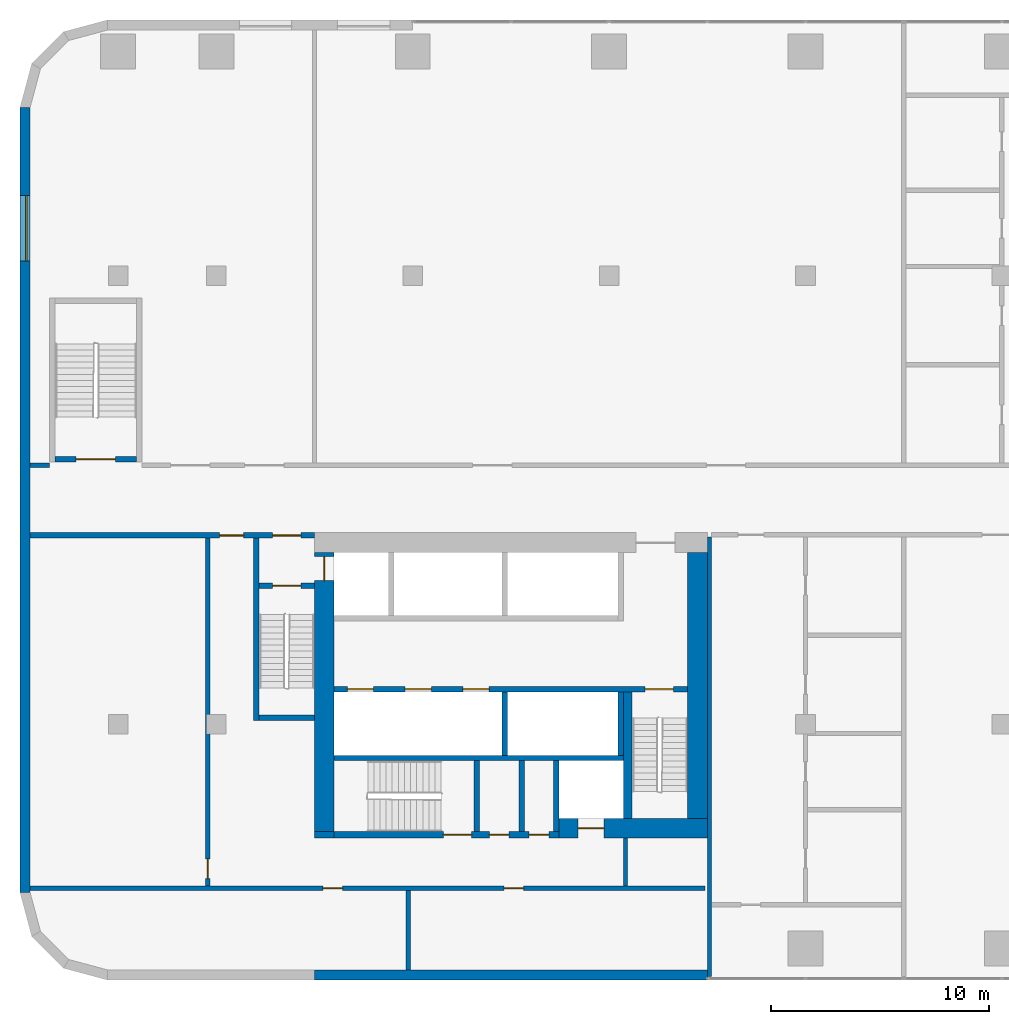
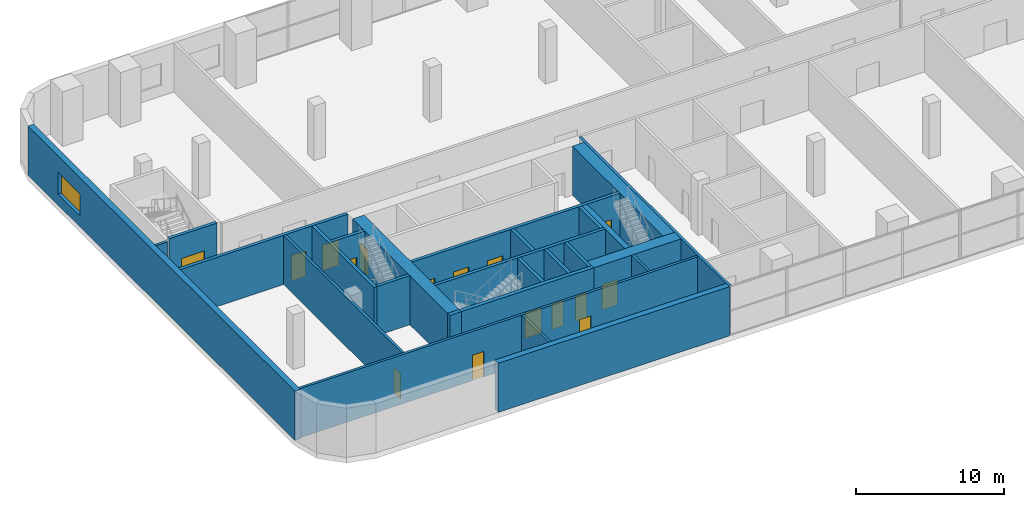
# One storey, part 7 of 19: 26 walls, 16 doors, 1 window, 17 openings.
"""IFC4 building model written with IfcOpenShell, lengths in metres."""

from ifc_helpers import new_model, si_unit, direction, frame, frame_2d, origin, place, context, subcontext, project, spatial, rectangle, extrude, material, layer, layer_set, type_object, element, fill, save


model = new_model("IFC4")

# Units and contexts
model_context = context("Model", 3, precision=1e-05, world=origin(), true_north=direction((0.0, 1.0)))
body_context = subcontext(model_context, "Body", "Model", "MODEL_VIEW")
ifc_project = project(units=[si_unit("LENGTHUNIT", "METRE"), si_unit("AREAUNIT", "SQUARE_METRE"), si_unit("VOLUMEUNIT", "CUBIC_METRE"), si_unit("PLANEANGLEUNIT", "RADIAN"), si_unit("MASSUNIT", "GRAM", prefix="KILO")], contexts=[model_context])

# Site, building, storey
site_placement = place(None, origin())
site = spatial("IfcSite", under=ifc_project, at=site_placement, CompositionType="ELEMENT")
building_placement = place(site_placement, origin())
building = spatial("IfcBuilding", under=site, at=building_placement, Name="Kajstack Hotel Tower", CompositionType="ELEMENT")
storey_placement = place(building_placement, frame((0.0, 0.0, 33.5)))
storey = spatial("IfcBuildingStorey", under=building, at=storey_placement, Name="L05", CompositionType="ELEMENT", Elevation=33.5)

# Wall, opening, door
ifc_material_1 = material(Name="Concrete C60/75", Category="concrete")
ifc_layer_1 = layer(ifc_material_1, 0.89990234375)
ifc_layer_set_1 = layer_set([ifc_layer_1], Name="Core wall 900")
wall_type_1 = type_object("IfcWallType", Name="Core wall 900", PredefinedType="SHEAR", material=ifc_layer_set_1)
wall_1_placement = place(storey_placement, frame((-20.300048828125, -15.050048828125, 0.0), z_axis=(0.0, 0.0, 1.0), x_axis=(1.0, 0.0, 0.0)))
wall_1 = element("IfcWall", 1, at=wall_1_placement, inside=storey, type_object=wall_type_1, Name="Core wall W RS", PredefinedType="SHEAR", context=body_context, shape_type="SweptSolid", body=[
    extrude(rectangle(XDim=6.800048828125, YDim=0.89990234375, at=frame_2d((3.39990234375, 0.0))), origin(), (0.0, 0.0, 1.0), 4.050048828125),
])
opening_1_placement = place(wall_1_placement, frame((0.875, 0.0, 0.0)))
opening_1 = element("IfcOpeningElement", 2, at=opening_1_placement, cuts=wall_1, Name="Opening LD-SV1", PredefinedType="OPENING", context=body_context, shape_type="SweptSolid", body=[
    extrude(rectangle(XDim=1.199951171875, YDim=2.10009765625, at=frame_2d((0.60009765625, 1.050048828125))), frame((0.0, 0.4599609375, 0.0), z_axis=(0.0, -1.0, 0.0), x_axis=(1.0, 0.0, 0.0)), (0.0, 0.0, 1.0), 0.919921875),
])
ifc_material_2 = material(Name="Stainless steel", Category="steel")
door_type_1 = type_object("IfcDoorType", Name="Lift landing door 1200", OperationType="SLIDING_TO_LEFT", PredefinedType="DOOR", material=ifc_material_2)
door_1_placement = place(opening_1_placement, origin())
door_1 = element("IfcDoor", 3, at=door_1_placement, inside=storey, type_object=door_type_1, Name="Landing door SV1", OperationType="SLIDING_TO_LEFT", OverallHeight=2.10009765625, OverallWidth=1.199951171875, PredefinedType="DOOR", context=body_context, shape_type="SweptSolid", body=[
    extrude(rectangle(XDim=1.199951171875, YDim=2.10009765625, at=frame_2d((0.60009765625, 1.050048828125))), frame((0.0, 0.02490234375, 0.0), z_axis=(0.0, -1.0, 0.0), x_axis=(1.0, 0.0, 0.0)), (0.0, 0.0, 1.0), 0.050048828125),
])
fill(opening_1, door_1)

# Wall
wall_2_placement = place(storey_placement, frame((-31.5, -15.35009765625, 0.0), z_axis=(0.0, 0.0, 1.0), x_axis=(1.0, 0.0, 0.0)))
element("IfcWall", 4, at=wall_2_placement, inside=storey, type_object=wall_type_1, Name="Core wall W RSW", PredefinedType="SHEAR", context=body_context, shape_type="SweptSolid", body=[
    extrude(rectangle(XDim=0.89990234375, YDim=0.300048828125, at=frame_2d((0.449951171875, 0.0))), origin(), (0.0, 0.0, 1.0), 4.050048828125),
])

# Wall, opening, door
wall_3_placement = place(storey_placement, frame((-31.050048828125, -15.199951171875, 0.0), z_axis=(0.0, 0.0, 1.0), x_axis=(0.0, 1.0, 0.0)))
wall_3 = element("IfcWall", 5, at=wall_3_placement, inside=storey, type_object=wall_type_1, Name="Core wall W RW", PredefinedType="SHEAR", context=body_context, shape_type="SweptSolid", body=[
    extrude(rectangle(XDim=12.800048828125, YDim=0.89990234375, at=frame_2d((6.39990234375, 0.0))), origin(), (0.0, 0.0, 1.0), 4.050048828125),
])
opening_2_placement = place(wall_3_placement, frame((11.5, 0.0, 0.0)))
opening_2 = element("IfcOpeningElement", 6, at=opening_2_placement, cuts=wall_3, Name="Opening LD-FF1", PredefinedType="OPENING", context=body_context, shape_type="SweptSolid", body=[
    extrude(rectangle(XDim=1.10009765625, YDim=2.10009765625, at=frame_2d((0.550048828125, 1.050048828125))), frame((0.0, 0.4599609375, 0.0), z_axis=(0.0, -1.0, 0.0), x_axis=(1.0, 0.0, 0.0)), (0.0, 0.0, 1.0), 0.919921875),
])
door_type_2 = type_object("IfcDoorType", Name="Fire-fighting lift landing door 1100", OperationType="SLIDING_TO_LEFT", PredefinedType="DOOR", material=ifc_material_2)
door_2_placement = place(opening_2_placement, origin())
door_2 = element("IfcDoor", 7, at=door_2_placement, inside=storey, type_object=door_type_2, Name="Landing door FF1", OperationType="SLIDING_TO_RIGHT", OverallHeight=2.10009765625, OverallWidth=1.10009765625, PredefinedType="DOOR", context=body_context, shape_type="SweptSolid", body=[
    extrude(rectangle(XDim=1.10009765625, YDim=2.10009765625, at=frame_2d((0.550048828125, 1.050048828125))), frame((0.0, 0.02490234375, 0.0), z_axis=(0.0, -1.0, 0.0), x_axis=(1.0, 0.0, 0.0)), (0.0, 0.0, 1.0), 0.050048828125),
])
fill(opening_2, door_2)

# Walls
wall_4_placement = place(storey_placement, frame((-13.949951171875, -14.60009765625, 0.0), z_axis=(0.0, 0.0, 1.0), x_axis=(0.0, 1.0, 0.0)))
element("IfcWall", 8, at=wall_4_placement, inside=storey, type_object=wall_type_1, Name="Core wall W RE", PredefinedType="SHEAR", context=body_context, shape_type="SweptSolid", body=[
    extrude(rectangle(XDim=12.2001953125, YDim=0.89990234375, at=frame_2d((6.10009765625, 0.0))), origin(), (0.0, 0.0, 1.0), 4.050048828125),
])
ifc_material_3 = material(Name="Concrete C40/50", Category="concrete")
ifc_layer_2 = layer(ifc_material_3, 0.449951171875)
ifc_layer_set_2 = layer_set([ifc_layer_2], Name="EW-CORE")
wall_type_2 = type_object("IfcWallType", Name="EW-CORE", PredefinedType="SOLIDWALL", material=ifc_layer_set_2)
wall_5_placement = place(storey_placement, frame((-31.5, -21.77490234375, 0.0), z_axis=(0.0, 0.0, 1.0), x_axis=(1.0, 0.0, 0.0)))
element("IfcWall", 9, at=wall_5_placement, inside=storey, type_object=wall_type_2, Name="E-wall-L05-03-01", PredefinedType="SOLIDWALL", context=body_context, shape_type="SweptSolid", body=[
    extrude(rectangle(XDim=18.0, YDim=0.449951171875, at=frame_2d((9.0, 0.0))), origin(), (0.0, 0.0, 1.0), 4.050048828125),
])

# Wall, opening, window
ifc_material_4 = material(Name="Terracotta-faced brick masonry", Category="masonry")
ifc_layer_3 = layer(ifc_material_4, 0.449951171875)
ifc_layer_set_3 = layer_set([ifc_layer_3], Name="EW-TERRA")
wall_type_3 = type_object("IfcWallType", Name="EW-TERRA", PredefinedType="SOLIDWALL", material=ifc_layer_set_3)
wall_6_placement = place(storey_placement, frame((-44.77490234375, 18.0, 0.0), z_axis=(0.0, 0.0, 1.0), x_axis=(0.0, -1.0, 0.0)))
wall_6 = element("IfcWall", 10, at=wall_6_placement, inside=storey, type_object=wall_type_3, Name="E-wall-L05-15-00", PredefinedType="SOLIDWALL", context=body_context, shape_type="SweptSolid", body=[
    extrude(rectangle(XDim=36.0, YDim=0.449951171875, at=frame_2d((18.0, 0.0))), origin(), (0.0, 0.0, 1.0), 4.050048828125),
])
opening_3_placement = place(wall_6_placement, frame((4.050048828125, 0.0, 0.89990234375)))
opening_3 = element("IfcOpeningElement", 11, at=opening_3_placement, cuts=wall_6, Name="Opening W5", PredefinedType="OPENING", context=body_context, shape_type="SweptSolid", body=[
    extrude(rectangle(XDim=3.0, YDim=1.800048828125, at=frame_2d((1.5, 0.89990234375))), frame((0.0, 0.23486328125, 0.0), z_axis=(0.0, -1.0, 0.0), x_axis=(1.0, 0.0, 0.0)), (0.0, 0.0, 1.0), 0.469970703125),
])
ifc_material_5 = material(Name="Timber-aluminium window, triple glazed", Category="wood")
window_type = type_object("IfcWindowType", Name="WP2", PartitioningType="SINGLE_PANEL", PredefinedType="WINDOW", material=ifc_material_5)
window_placement = place(opening_3_placement, origin())
window = element("IfcWindow", 12, at=window_placement, inside=storey, type_object=window_type, Name="Window W5 L05-15", OverallHeight=1.800048828125, OverallWidth=3.0, PartitioningType="SINGLE_PANEL", PredefinedType="WINDOW", context=body_context, shape_type="SweptSolid", body=[
    extrude(rectangle(XDim=3.0, YDim=1.800048828125, at=frame_2d((1.5, 0.89990234375))), frame((0.0, 0.090087890625, 0.0), z_axis=(0.0, -1.0, 0.0), x_axis=(1.0, 0.0, 0.0)), (0.0, 0.0, 1.0), 0.06005859375),
])
fill(opening_3, window)

# Walls
ifc_material_6 = material(Name="Concrete C50/60", Category="concrete")
ifc_layer_4 = layer(ifc_material_6, 0.300048828125)
ifc_layer_set_4 = layer_set([ifc_layer_4], Name="Hoistway divider wall 300")
wall_type_4 = type_object("IfcWallType", Name="Hoistway divider wall 300", PredefinedType="SHEAR", material=ifc_layer_set_4)
wall_7_placement = place(storey_placement, frame((-22.77490234375, -11.699951171875, 0.0), z_axis=(0.0, 0.0, 1.0), x_axis=(0.0, 1.0, 0.0)))
element("IfcWall", 13, at=wall_7_placement, inside=storey, type_object=wall_type_4, Name="Core wall W BP2", PredefinedType="SHEAR", context=body_context, shape_type="SweptSolid", body=[
    extrude(rectangle(XDim=2.89990234375, YDim=0.25, at=frame_2d((1.449951171875, 0.0))), origin(), (0.0, 0.0, 1.0), 4.050048828125),
])
ifc_material_7 = material(Name="Gypsum board on steel studs, mineral wool", Category="steel")
ifc_layer_5 = layer(ifc_material_7, 0.199951171875)
ifc_layer_set_5 = layer_set([ifc_layer_5], Name="Public partition 200")
wall_type_5 = type_object("IfcWallType", Name="Public partition 200", PredefinedType="PARTITIONING", material=ifc_layer_set_5)
wall_8_placement = place(storey_placement, frame((-44.550048828125, 1.60009765625, 0.0), z_axis=(0.0, 0.0, 1.0), x_axis=(1.0, 0.0, 0.0)))
element("IfcWall", 14, at=wall_8_placement, inside=storey, type_object=wall_type_5, Name="Partition FWW", PredefinedType="PARTITIONING", context=body_context, shape_type="SweptSolid", body=[
    extrude(rectangle(XDim=0.900146484375, YDim=0.199951171875, at=frame_2d((0.4501953125, 0.0))), origin(), (0.0, 0.0, 1.0), 4.050048828125),
])
wall_9_placement = place(storey_placement, frame((-13.39990234375, -21.85009765625, 0.0), z_axis=(0.0, 0.0, 1.0), x_axis=(0.0, 1.0, 0.0)))
element("IfcWall", 15, at=wall_9_placement, inside=storey, type_object=wall_type_5, Name="Partition SEW", PredefinedType="PARTITIONING", context=body_context, shape_type="SweptSolid", body=[
    extrude(rectangle(XDim=20.150146484375, YDim=0.199951171875, at=frame_2d((10.0751953125, 0.0))), origin(), (0.0, 0.0, 1.0), 4.050048828125),
])
ifc_material_8 = material(Name="Concrete block masonry", Category="masonry")
ifc_layer_6 = layer(ifc_material_8, 0.25)
ifc_layer_set_6 = layer_set([ifc_layer_6], Name="Riser partition 250")
wall_type_6 = type_object("IfcWallType", Name="Riser partition 250", PredefinedType="PARTITIONING", material=ifc_layer_set_6)
wall_10_placement = place(storey_placement, frame((-22.0, -15.199951171875, 0.0), z_axis=(0.0, 0.0, 1.0), x_axis=(0.0, 1.0, 0.0)))
element("IfcWall", 16, at=wall_10_placement, inside=storey, type_object=wall_type_6, Name="Partition W SZ0", PredefinedType="PARTITIONING", context=body_context, shape_type="SweptSolid", body=[
    extrude(rectangle(XDim=3.25, YDim=0.25, at=frame_2d((1.625, 0.0))), origin(), (0.0, 0.0, 1.0), 4.050048828125),
])

# Wall, openings, doors
ifc_layer_7 = layer(ifc_material_7, 0.199951171875)
ifc_layer_set_7 = layer_set([ifc_layer_7], Name="Service partition 200")
wall_type_7 = type_object("IfcWallType", Name="Service partition 200", PredefinedType="PARTITIONING", material=ifc_layer_set_7)
wall_11_placement = place(storey_placement, frame((-44.550048828125, -1.625, 0.0), z_axis=(0.0, 0.0, 1.0), x_axis=(1.0, 0.0, 0.0)))
wall_11 = element("IfcWall", 17, at=wall_11_placement, inside=storey, type_object=wall_type_7, Name="Partition W SN", PredefinedType="PARTITIONING", context=body_context, shape_type="SweptSolid", body=[
    extrude(rectangle(XDim=13.050048828125, YDim=0.25, at=frame_2d((6.52490234375, 0.0))), origin(), (0.0, 0.0, 1.0), 4.050048828125),
])
opening_4_placement = place(wall_11_placement, frame((11.125, 0.0, 0.0)))
opening_4 = element("IfcOpeningElement", 18, at=opening_4_placement, cuts=wall_11, Name="Opening 05W07", PredefinedType="OPENING", context=body_context, shape_type="SweptSolid", body=[
    extrude(rectangle(XDim=1.300048828125, YDim=2.10009765625, at=frame_2d((0.64990234375, 1.050048828125))), frame((0.0, 0.135009765625, 0.0), z_axis=(0.0, -1.0, 0.0), x_axis=(1.0, 0.0, 0.0)), (0.0, 0.0, 1.0), 0.27001953125),
])
opening_5_placement = place(wall_11_placement, frame((8.699951171875, 0.0, 0.0)))
opening_5 = element("IfcOpeningElement", 19, at=opening_5_placement, cuts=wall_11, Name="Opening 05W09", PredefinedType="OPENING", context=body_context, shape_type="SweptSolid", body=[
    extrude(rectangle(XDim=1.10009765625, YDim=2.10009765625, at=frame_2d((0.550048828125, 1.050048828125))), frame((0.0, 0.135009765625, 0.0), z_axis=(0.0, -1.0, 0.0), x_axis=(1.0, 0.0, 0.0)), (0.0, 0.0, 1.0), 0.27001953125),
])
ifc_material_9 = material(Name="Steel leaf, fire-rated", Category="steel")
door_type_3 = type_object("IfcDoorType", Name="Fire lobby door 1300", OperationType="SINGLE_SWING_LEFT", PredefinedType="DOOR", material=ifc_material_9)
door_3_placement = place(opening_4_placement, origin())
door_3 = element("IfcDoor", 20, at=door_3_placement, inside=storey, type_object=door_type_3, Name="Door 05W07", OperationType="SINGLE_SWING_RIGHT", OverallHeight=2.10009765625, OverallWidth=1.300048828125, PredefinedType="DOOR", context=body_context, shape_type="SweptSolid", body=[
    extrude(rectangle(XDim=1.300048828125, YDim=2.10009765625, at=frame_2d((0.64990234375, 1.050048828125))), frame((0.0, 0.02490234375, 0.0), z_axis=(0.0, -1.0, 0.0), x_axis=(1.0, 0.0, 0.0)), (0.0, 0.0, 1.0), 0.050048828125),
])
fill(opening_4, door_3)
ifc_material_10 = material(Name="Timber leaf, fire-rated", Category="wood")
door_type_4 = type_object("IfcDoorType", Name="Service corridor door 1100", OperationType="SINGLE_SWING_LEFT", PredefinedType="DOOR", material=ifc_material_10)
door_4_placement = place(opening_5_placement, origin())
door_4 = element("IfcDoor", 21, at=door_4_placement, inside=storey, type_object=door_type_4, Name="Door 05W09", OperationType="SINGLE_SWING_RIGHT", OverallHeight=2.10009765625, OverallWidth=1.10009765625, PredefinedType="DOOR", context=body_context, shape_type="SweptSolid", body=[
    extrude(rectangle(XDim=1.10009765625, YDim=2.10009765625, at=frame_2d((0.550048828125, 1.050048828125))), frame((0.0, 0.02490234375, 0.0), z_axis=(0.0, -1.0, 0.0), x_axis=(1.0, 0.0, 0.0)), (0.0, 0.0, 1.0), 0.050048828125),
])
fill(opening_5, door_4)

# Wall
wall_12_placement = place(storey_placement, frame((-17.25, -17.699951171875, 0.0), z_axis=(0.0, 0.0, 1.0), x_axis=(0.0, 1.0, 0.0)))
element("IfcWall", 22, at=wall_12_placement, inside=storey, type_object=wall_type_7, Name="Partition W SCE", PredefinedType="PARTITIONING", context=body_context, shape_type="SweptSolid", body=[
    extrude(rectangle(XDim=2.199951171875, YDim=0.199951171875, at=frame_2d((1.10009765625, 0.0))), origin(), (0.0, 0.0, 1.0), 4.050048828125),
])

# Wall, opening, door
wall_13_placement = place(storey_placement, frame((-36.39990234375, -17.699951171875, 0.0), z_axis=(0.0, 0.0, 1.0), x_axis=(0.0, 1.0, 0.0)))
wall_13 = element("IfcWall", 23, at=wall_13_placement, inside=storey, type_object=wall_type_7, Name="Partition W WRE", PredefinedType="PARTITIONING", context=body_context, shape_type="SweptSolid", body=[
    extrude(rectangle(XDim=15.949951171875, YDim=0.199951171875, at=frame_2d((7.97509765625, 0.0))), origin(), (0.0, 0.0, 1.0), 4.050048828125),
])
opening_6_placement = place(wall_13_placement, frame((0.35009765625, 0.0, 0.0)))
opening_6 = element("IfcOpeningElement", 24, at=opening_6_placement, cuts=wall_13, Name="Opening 05W16", PredefinedType="OPENING", context=body_context, shape_type="SweptSolid", body=[
    extrude(rectangle(XDim=0.89990234375, YDim=2.10009765625, at=frame_2d((0.449951171875, 1.050048828125))), frame((0.0, 0.10986328125, 0.0), z_axis=(0.0, -1.0, 0.0), x_axis=(1.0, 0.0, 0.0)), (0.0, 0.0, 1.0), 0.219970703125),
])
door_type_5 = type_object("IfcDoorType", Name="Service door 900", OperationType="SINGLE_SWING_LEFT", PredefinedType="DOOR", material=ifc_material_10)
door_5_placement = place(opening_6_placement, origin())
door_5 = element("IfcDoor", 25, at=door_5_placement, inside=storey, type_object=door_type_5, Name="Door 05W16", OperationType="SINGLE_SWING_LEFT", OverallHeight=2.10009765625, OverallWidth=0.89990234375, PredefinedType="DOOR", context=body_context, shape_type="SweptSolid", body=[
    extrude(rectangle(XDim=0.89990234375, YDim=2.10009765625, at=frame_2d((0.449951171875, 1.050048828125))), frame((0.0, 0.02490234375, 0.0), z_axis=(0.0, -1.0, 0.0), x_axis=(1.0, 0.0, 0.0)), (0.0, 0.0, 1.0), 0.050048828125),
])
fill(opening_6, door_5)

# Wall, openings, doors
wall_14_placement = place(storey_placement, frame((-44.550048828125, -17.800048828125, 0.0), z_axis=(0.0, 0.0, 1.0), x_axis=(1.0, 0.0, 0.0)))
wall_14 = element("IfcWall", 26, at=wall_14_placement, inside=storey, type_object=wall_type_7, Name="Partition W SLN", PredefinedType="PARTITIONING", context=body_context, shape_type="SweptSolid", body=[
    extrude(rectangle(XDim=30.949951171875, YDim=0.199951171875, at=frame_2d((15.47509765625, 0.0))), origin(), (0.0, 0.0, 1.0), 4.050048828125),
])
opening_7_placement = place(wall_14_placement, frame((13.4375, 0.0, 0.0)))
opening_7 = element("IfcOpeningElement", 27, at=opening_7_placement, cuts=wall_14, Name="Opening 05W14", PredefinedType="OPENING", context=body_context, shape_type="SweptSolid", body=[
    extrude(rectangle(XDim=0.89990234375, YDim=2.10009765625, at=frame_2d((0.449951171875, 1.050048828125))), frame((0.0, 0.10986328125, 0.0), z_axis=(0.0, -1.0, 0.0), x_axis=(1.0, 0.0, 0.0)), (0.0, 0.0, 1.0), 0.219970703125),
])
opening_8_placement = place(wall_14_placement, frame((21.737548828125, 0.0, 0.0)))
opening_8 = element("IfcOpeningElement", 28, at=opening_8_placement, cuts=wall_14, Name="Opening 05W15", PredefinedType="OPENING", context=body_context, shape_type="SweptSolid", body=[
    extrude(rectangle(XDim=0.89990234375, YDim=2.10009765625, at=frame_2d((0.449951171875, 1.050048828125))), frame((0.0, 0.10986328125, 0.0), z_axis=(0.0, -1.0, 0.0), x_axis=(1.0, 0.0, 0.0)), (0.0, 0.0, 1.0), 0.219970703125),
])
door_6_placement = place(opening_7_placement, origin())
door_6 = element("IfcDoor", 29, at=door_6_placement, inside=storey, type_object=door_type_5, Name="Door 05W14", OperationType="SINGLE_SWING_RIGHT", OverallHeight=2.10009765625, OverallWidth=0.89990234375, PredefinedType="DOOR", context=body_context, shape_type="SweptSolid", body=[
    extrude(rectangle(XDim=0.89990234375, YDim=2.10009765625, at=frame_2d((0.449951171875, 1.050048828125))), frame((0.0, 0.02490234375, 0.0), z_axis=(0.0, -1.0, 0.0), x_axis=(1.0, 0.0, 0.0)), (0.0, 0.0, 1.0), 0.050048828125),
])
fill(opening_7, door_6)
door_7_placement = place(opening_8_placement, origin())
door_7 = element("IfcDoor", 30, at=door_7_placement, inside=storey, type_object=door_type_5, Name="Door 05W15", OperationType="SINGLE_SWING_RIGHT", OverallHeight=2.10009765625, OverallWidth=0.89990234375, PredefinedType="DOOR", context=body_context, shape_type="SweptSolid", body=[
    extrude(rectangle(XDim=0.89990234375, YDim=2.10009765625, at=frame_2d((0.449951171875, 1.050048828125))), frame((0.0, 0.02490234375, 0.0), z_axis=(0.0, -1.0, 0.0), x_axis=(1.0, 0.0, 0.0)), (0.0, 0.0, 1.0), 0.050048828125),
])
fill(opening_8, door_7)

# Wall
wall_15_placement = place(storey_placement, frame((-27.199951171875, -21.550048828125, 0.0), z_axis=(0.0, 0.0, 1.0), x_axis=(0.0, 1.0, 0.0)))
element("IfcWall", 31, at=wall_15_placement, inside=storey, type_object=wall_type_7, Name="Partition W SLP0", PredefinedType="PARTITIONING", context=body_context, shape_type="SweptSolid", body=[
    extrude(rectangle(XDim=3.650146484375, YDim=0.199951171875, at=frame_2d((1.8251953125, 0.0))), origin(), (0.0, 0.0, 1.0), 4.050048828125),
])

# Wall, openings, doors
ifc_layer_8 = layer(ifc_material_6, 0.25)
ifc_layer_set_8 = layer_set([ifc_layer_8], Name="Shaft wall 250")
wall_type_8 = type_object("IfcWallType", Name="Shaft wall 250", PredefinedType="SHEAR", material=ifc_layer_set_8)
wall_16_placement = place(storey_placement, frame((-30.60009765625, -15.35009765625, 0.0), z_axis=(0.0, 0.0, 1.0), x_axis=(1.0, 0.0, 0.0)))
wall_16 = element("IfcWall", 32, at=wall_16_placement, inside=storey, type_object=wall_type_8, Name="Core wall W RSS", PredefinedType="SHEAR", context=body_context, shape_type="SweptSolid", body=[
    extrude(rectangle(XDim=10.300048828125, YDim=0.300048828125, at=frame_2d((5.14990234375, 0.0))), origin(), (0.0, 0.0, 1.0), 4.050048828125),
])
opening_9_placement = place(wall_16_placement, frame((5.0, 0.0, 0.0)))
opening_9 = element("IfcOpeningElement", 33, at=opening_9_placement, cuts=wall_16, Name="Opening 05W11", PredefinedType="OPENING", context=body_context, shape_type="SweptSolid", body=[
    extrude(rectangle(XDim=1.300048828125, YDim=2.10009765625, at=frame_2d((0.64990234375, 1.050048828125))), frame((0.0, 0.159912109375, 0.0), z_axis=(0.0, -1.0, 0.0), x_axis=(1.0, 0.0, 0.0)), (0.0, 0.0, 1.0), 0.320068359375),
])
opening_10_placement = place(wall_16_placement, frame((7.112548828125, 0.0, 0.0)))
opening_10 = element("IfcOpeningElement", 34, at=opening_10_placement, cuts=wall_16, Name="Opening 05W12", PredefinedType="OPENING", context=body_context, shape_type="SweptSolid", body=[
    extrude(rectangle(XDim=0.89990234375, YDim=2.10009765625, at=frame_2d((0.449951171875, 1.050048828125))), frame((0.0, 0.159912109375, 0.0), z_axis=(0.0, -1.0, 0.0), x_axis=(1.0, 0.0, 0.0)), (0.0, 0.0, 1.0), 0.320068359375),
])
opening_11_placement = place(wall_16_placement, frame((8.9375, 0.0, 0.0)))
opening_11 = element("IfcOpeningElement", 35, at=opening_11_placement, cuts=wall_16, Name="Opening 05W13", PredefinedType="OPENING", context=body_context, shape_type="SweptSolid", body=[
    extrude(rectangle(XDim=0.89990234375, YDim=2.10009765625, at=frame_2d((0.449951171875, 1.050048828125))), frame((0.0, 0.159912109375, 0.0), z_axis=(0.0, -1.0, 0.0), x_axis=(1.0, 0.0, 0.0)), (0.0, 0.0, 1.0), 0.320068359375),
])
door_8_placement = place(opening_10_placement, origin())
door_8 = element("IfcDoor", 36, at=door_8_placement, inside=storey, type_object=door_type_5, Name="Door 05W12", OperationType="SINGLE_SWING_LEFT", OverallHeight=2.10009765625, OverallWidth=0.89990234375, PredefinedType="DOOR", context=body_context, shape_type="SweptSolid", body=[
    extrude(rectangle(XDim=0.89990234375, YDim=2.10009765625, at=frame_2d((0.449951171875, 1.050048828125))), frame((0.0, 0.02490234375, 0.0), z_axis=(0.0, -1.0, 0.0), x_axis=(1.0, 0.0, 0.0)), (0.0, 0.0, 1.0), 0.050048828125),
])
fill(opening_10, door_8)
door_9_placement = place(opening_11_placement, origin())
door_9 = element("IfcDoor", 37, at=door_9_placement, inside=storey, type_object=door_type_5, Name="Door 05W13", OperationType="SINGLE_SWING_LEFT", OverallHeight=2.10009765625, OverallWidth=0.89990234375, PredefinedType="DOOR", context=body_context, shape_type="SweptSolid", body=[
    extrude(rectangle(XDim=0.89990234375, YDim=2.10009765625, at=frame_2d((0.449951171875, 1.050048828125))), frame((0.0, 0.02490234375, 0.0), z_axis=(0.0, -1.0, 0.0), x_axis=(1.0, 0.0, 0.0)), (0.0, 0.0, 1.0), 0.050048828125),
])
fill(opening_11, door_9)
door_type_6 = type_object("IfcDoorType", Name="Stair door 1300", OperationType="SINGLE_SWING_LEFT", PredefinedType="DOOR", material=ifc_material_9)
door_10_placement = place(opening_9_placement, origin())
door_10 = element("IfcDoor", 38, at=door_10_placement, inside=storey, type_object=door_type_6, Name="Door 05W11", OperationType="SINGLE_SWING_RIGHT", OverallHeight=2.10009765625, OverallWidth=1.300048828125, PredefinedType="DOOR", context=body_context, shape_type="SweptSolid", body=[
    extrude(rectangle(XDim=1.300048828125, YDim=2.10009765625, at=frame_2d((0.64990234375, 1.050048828125))), frame((0.0, 0.02490234375, 0.0), z_axis=(0.0, -1.0, 0.0), x_axis=(1.0, 0.0, 0.0)), (0.0, 0.0, 1.0), 0.050048828125),
])
fill(opening_9, door_10)

wall_17_placement = place(storey_placement, frame((-30.60009765625, -8.675048828125, 0.0), z_axis=(0.0, 0.0, 1.0), x_axis=(1.0, 0.0, 0.0)))
wall_17 = element("IfcWall", 39, at=wall_17_placement, inside=storey, type_object=wall_type_8, Name="Core wall W FB", PredefinedType="SHEAR", context=body_context, shape_type="SweptSolid", body=[
    extrude(rectangle(XDim=16.2001953125, YDim=0.25, at=frame_2d((8.10009765625, 0.0))), origin(), (0.0, 0.0, 1.0), 4.050048828125),
])
opening_12_placement = place(wall_17_placement, frame((0.60009765625, 0.0, 0.0)))
opening_12 = element("IfcOpeningElement", 40, at=opening_12_placement, cuts=wall_17, Name="Opening LD-LR1", PredefinedType="OPENING", context=body_context, shape_type="SweptSolid", body=[
    extrude(rectangle(XDim=1.199951171875, YDim=2.10009765625, at=frame_2d((0.60009765625, 1.050048828125))), frame((0.0, 0.135009765625, 0.0), z_axis=(0.0, -1.0, 0.0), x_axis=(1.0, 0.0, 0.0)), (0.0, 0.0, 1.0), 0.27001953125),
])
opening_13_placement = place(wall_17_placement, frame((3.25, 0.0, 0.0)))
opening_13 = element("IfcOpeningElement", 41, at=opening_13_placement, cuts=wall_17, Name="Opening LD-LR2", PredefinedType="OPENING", context=body_context, shape_type="SweptSolid", body=[
    extrude(rectangle(XDim=1.199951171875, YDim=2.10009765625, at=frame_2d((0.60009765625, 1.050048828125))), frame((0.0, 0.135009765625, 0.0), z_axis=(0.0, -1.0, 0.0), x_axis=(1.0, 0.0, 0.0)), (0.0, 0.0, 1.0), 0.27001953125),
])
opening_14_placement = place(wall_17_placement, frame((5.89990234375, 0.0, 0.0)))
opening_14 = element("IfcOpeningElement", 42, at=opening_14_placement, cuts=wall_17, Name="Opening LD-LR3", PredefinedType="OPENING", context=body_context, shape_type="SweptSolid", body=[
    extrude(rectangle(XDim=1.199951171875, YDim=2.10009765625, at=frame_2d((0.60009765625, 1.050048828125))), frame((0.0, 0.135009765625, 0.0), z_axis=(0.0, -1.0, 0.0), x_axis=(1.0, 0.0, 0.0)), (0.0, 0.0, 1.0), 0.27001953125),
])
opening_15_placement = place(wall_17_placement, frame((14.25, 0.0, 0.0)))
opening_15 = element("IfcOpeningElement", 43, at=opening_15_placement, cuts=wall_17, Name="Opening 05W10", PredefinedType="OPENING", context=body_context, shape_type="SweptSolid", body=[
    extrude(rectangle(XDim=1.300048828125, YDim=2.10009765625, at=frame_2d((0.64990234375, 1.050048828125))), frame((0.0, 0.135009765625, 0.0), z_axis=(0.0, -1.0, 0.0), x_axis=(1.0, 0.0, 0.0)), (0.0, 0.0, 1.0), 0.27001953125),
])
door_11_placement = place(opening_12_placement, origin())
door_11 = element("IfcDoor", 44, at=door_11_placement, inside=storey, type_object=door_type_1, Name="Landing door LR1", OperationType="SLIDING_TO_LEFT", OverallHeight=2.10009765625, OverallWidth=1.199951171875, PredefinedType="DOOR", context=body_context, shape_type="SweptSolid", body=[
    extrude(rectangle(XDim=1.199951171875, YDim=2.10009765625, at=frame_2d((0.60009765625, 1.050048828125))), frame((0.0, 0.02490234375, 0.0), z_axis=(0.0, -1.0, 0.0), x_axis=(1.0, 0.0, 0.0)), (0.0, 0.0, 1.0), 0.050048828125),
])
fill(opening_12, door_11)
door_12_placement = place(opening_13_placement, origin())
door_12 = element("IfcDoor", 45, at=door_12_placement, inside=storey, type_object=door_type_1, Name="Landing door LR2", OperationType="SLIDING_TO_RIGHT", OverallHeight=2.10009765625, OverallWidth=1.199951171875, PredefinedType="DOOR", context=body_context, shape_type="SweptSolid", body=[
    extrude(rectangle(XDim=1.199951171875, YDim=2.10009765625, at=frame_2d((0.60009765625, 1.050048828125))), frame((0.0, 0.02490234375, 0.0), z_axis=(0.0, -1.0, 0.0), x_axis=(1.0, 0.0, 0.0)), (0.0, 0.0, 1.0), 0.050048828125),
])
fill(opening_13, door_12)
door_13_placement = place(opening_14_placement, origin())
door_13 = element("IfcDoor", 46, at=door_13_placement, inside=storey, type_object=door_type_1, Name="Landing door LR3", OperationType="SLIDING_TO_RIGHT", OverallHeight=2.10009765625, OverallWidth=1.199951171875, PredefinedType="DOOR", context=body_context, shape_type="SweptSolid", body=[
    extrude(rectangle(XDim=1.199951171875, YDim=2.10009765625, at=frame_2d((0.60009765625, 1.050048828125))), frame((0.0, 0.02490234375, 0.0), z_axis=(0.0, -1.0, 0.0), x_axis=(1.0, 0.0, 0.0)), (0.0, 0.0, 1.0), 0.050048828125),
])
fill(opening_14, door_13)
door_14_placement = place(opening_15_placement, origin())
door_14 = element("IfcDoor", 47, at=door_14_placement, inside=storey, type_object=door_type_6, Name="Door 05W10", OperationType="SINGLE_SWING_RIGHT", OverallHeight=2.10009765625, OverallWidth=1.300048828125, PredefinedType="DOOR", context=body_context, shape_type="SweptSolid", body=[
    extrude(rectangle(XDim=1.300048828125, YDim=2.10009765625, at=frame_2d((0.64990234375, 1.050048828125))), frame((0.0, 0.02490234375, 0.0), z_axis=(0.0, -1.0, 0.0), x_axis=(1.0, 0.0, 0.0)), (0.0, 0.0, 1.0), 0.050048828125),
])
fill(opening_15, door_14)

# Walls
wall_18_placement = place(storey_placement, frame((-30.60009765625, -11.824951171875, 0.0), z_axis=(0.0, 0.0, 1.0), x_axis=(1.0, 0.0, 0.0)))
element("IfcWall", 48, at=wall_18_placement, inside=storey, type_object=wall_type_8, Name="Core wall W RB", PredefinedType="SHEAR", context=body_context, shape_type="SweptSolid", body=[
    extrude(rectangle(XDim=13.25, YDim=0.25, at=frame_2d((6.625, 0.0))), origin(), (0.0, 0.0, 1.0), 4.050048828125),
])
wall_19_placement = place(storey_placement, frame((-17.47509765625, -11.699951171875, 0.0), z_axis=(0.0, 0.0, 1.0), x_axis=(0.0, 1.0, 0.0)))
element("IfcWall", 49, at=wall_19_placement, inside=storey, type_object=wall_type_8, Name="Core wall W BE", PredefinedType="SHEAR", context=body_context, shape_type="SweptSolid", body=[
    extrude(rectangle(XDim=2.89990234375, YDim=0.25, at=frame_2d((1.449951171875, 0.0))), origin(), (0.0, 0.0, 1.0), 4.050048828125),
])
wall_20_placement = place(storey_placement, frame((-20.425048828125, -15.199951171875, 0.0), z_axis=(0.0, 0.0, 1.0), x_axis=(0.0, 1.0, 0.0)))
element("IfcWall", 50, at=wall_20_placement, inside=storey, type_object=wall_type_8, Name="Core wall W SVW", PredefinedType="SHEAR", context=body_context, shape_type="SweptSolid", body=[
    extrude(rectangle(XDim=3.25, YDim=0.25, at=frame_2d((1.625, 0.0))), origin(), (0.0, 0.0, 1.0), 4.050048828125),
])

# Wall, opening, door
ifc_layer_9 = layer(ifc_material_3, 0.25)
ifc_layer_set_9 = layer_set([ifc_layer_9], Name="Stair enclosure wall 250")
wall_type_9 = type_object("IfcWallType", Name="Stair enclosure wall 250", PredefinedType="SHEAR", material=ifc_layer_set_9)
wall_21_placement = place(storey_placement, frame((-34.050048828125, -3.925048828125, 0.0), z_axis=(0.0, 0.0, 1.0), x_axis=(1.0, 0.0, 0.0)))
wall_21 = element("IfcWall", 51, at=wall_21_placement, inside=storey, type_object=wall_type_9, Name="Core wall W W1N", PredefinedType="SHEAR", context=body_context, shape_type="SweptSolid", body=[
    extrude(rectangle(XDim=2.550048828125, YDim=0.25, at=frame_2d((1.27490234375, 0.0))), origin(), (0.0, 0.0, 1.0), 4.050048828125),
])
opening_16_placement = place(wall_21_placement, frame((0.625, 0.0, 0.0)))
opening_16 = element("IfcOpeningElement", 52, at=opening_16_placement, cuts=wall_21, Name="Opening 05W08", PredefinedType="OPENING", context=body_context, shape_type="SweptSolid", body=[
    extrude(rectangle(XDim=1.300048828125, YDim=2.10009765625, at=frame_2d((0.64990234375, 1.050048828125))), frame((0.0, 0.135009765625, 0.0), z_axis=(0.0, -1.0, 0.0), x_axis=(1.0, 0.0, 0.0)), (0.0, 0.0, 1.0), 0.27001953125),
])
door_15_placement = place(opening_16_placement, origin())
door_15 = element("IfcDoor", 53, at=door_15_placement, inside=storey, type_object=door_type_6, Name="Door 05W08", OperationType="SINGLE_SWING_RIGHT", OverallHeight=2.10009765625, OverallWidth=1.300048828125, PredefinedType="DOOR", context=body_context, shape_type="SweptSolid", body=[
    extrude(rectangle(XDim=1.300048828125, YDim=2.10009765625, at=frame_2d((0.64990234375, 1.050048828125))), frame((0.0, 0.02490234375, 0.0), z_axis=(0.0, -1.0, 0.0), x_axis=(1.0, 0.0, 0.0)), (0.0, 0.0, 1.0), 0.050048828125),
])
fill(opening_16, door_15)

# Walls
wall_22_placement = place(storey_placement, frame((-34.175048828125, -10.10009765625, 0.0), z_axis=(0.0, 0.0, 1.0), x_axis=(0.0, 1.0, 0.0)))
element("IfcWall", 54, at=wall_22_placement, inside=storey, type_object=wall_type_9, Name="Core wall W W1W", PredefinedType="SHEAR", context=body_context, shape_type="SweptSolid", body=[
    extrude(rectangle(XDim=8.35009765625, YDim=0.25, at=frame_2d((4.175048828125, 0.0))), origin(), (0.0, 0.0, 1.0), 4.050048828125),
])
wall_23_placement = place(storey_placement, frame((-34.050048828125, -9.97509765625, 0.0), z_axis=(0.0, 0.0, 1.0), x_axis=(1.0, 0.0, 0.0)))
element("IfcWall", 55, at=wall_23_placement, inside=storey, type_object=wall_type_9, Name="Core wall W W1S", PredefinedType="SHEAR", context=body_context, shape_type="SweptSolid", body=[
    extrude(rectangle(XDim=2.550048828125, YDim=0.25, at=frame_2d((1.27490234375, 0.0))), origin(), (0.0, 0.0, 1.0), 4.050048828125),
])

# Wall, opening, door
wall_24_placement = place(storey_placement, frame((-43.39990234375, 1.875, 0.0), z_axis=(0.0, 0.0, 1.0), x_axis=(1.0, 0.0, 0.0)))
wall_24 = element("IfcWall", 56, at=wall_24_placement, inside=storey, type_object=wall_type_9, Name="Stair wall P1 N", PredefinedType="SHEAR", context=body_context, shape_type="SweptSolid", body=[
    extrude(rectangle(XDim=3.75, YDim=0.25, at=frame_2d((1.875, 0.0))), origin(), (0.0, 0.0, 1.0), 4.050048828125),
])
opening_17_placement = place(wall_24_placement, frame((0.97509765625, 0.0, 0.0)))
opening_17 = element("IfcOpeningElement", 57, at=opening_17_placement, cuts=wall_24, Name="Opening 05P1", PredefinedType="OPENING", context=body_context, shape_type="SweptSolid", body=[
    extrude(rectangle(XDim=1.800048828125, YDim=2.10009765625, at=frame_2d((0.89990234375, 1.050048828125))), frame((0.0, 0.135009765625, 0.0), z_axis=(0.0, -1.0, 0.0), x_axis=(1.0, 0.0, 0.0)), (0.0, 0.0, 1.0), 0.27001953125),
])
door_type_7 = type_object("IfcDoorType", Name="Stair door 1800", OperationType="DOUBLE_DOOR_DOUBLE_SWING", PredefinedType="DOOR", material=ifc_material_9)
door_16_placement = place(opening_17_placement, origin())
door_16 = element("IfcDoor", 58, at=door_16_placement, inside=storey, type_object=door_type_7, Name="Door 05P1", OperationType="DOUBLE_DOOR_DOUBLE_SWING", OverallHeight=2.10009765625, OverallWidth=1.800048828125, PredefinedType="DOOR", context=body_context, shape_type="SweptSolid", body=[
    extrude(rectangle(XDim=1.800048828125, YDim=2.10009765625, at=frame_2d((0.89990234375, 1.050048828125))), frame((0.0, 0.02490234375, 0.0), z_axis=(0.0, -1.0, 0.0), x_axis=(1.0, 0.0, 0.0)), (0.0, 0.0, 1.0), 0.050048828125),
])
fill(opening_17, door_16)

# Walls
ifc_layer_10 = layer(ifc_material_6, 0.35009765625)
ifc_layer_set_10 = layer_set([ifc_layer_10], Name="Stair enclosure wall 350")
wall_type_10 = type_object("IfcWallType", Name="Stair enclosure wall 350", PredefinedType="SHEAR", material=ifc_layer_set_10)
wall_25_placement = place(storey_placement, frame((-24.074951171875, -15.199951171875, 0.0), z_axis=(0.0, 0.0, 1.0), x_axis=(0.0, 1.0, 0.0)))
element("IfcWall", 59, at=wall_25_placement, inside=storey, type_object=wall_type_10, Name="Core wall W W3E", PredefinedType="SHEAR", context=body_context, shape_type="SweptSolid", body=[
    extrude(rectangle(XDim=3.25, YDim=0.25, at=frame_2d((1.625, 0.0))), origin(), (0.0, 0.0, 1.0), 4.050048828125),
])
ifc_layer_11 = layer(ifc_material_6, 0.39990234375)
ifc_layer_set_11 = layer_set([ifc_layer_11], Name="Stair wall 400")
wall_type_11 = type_object("IfcWallType", Name="Stair wall 400", PredefinedType="SHEAR", material=ifc_layer_set_11)
wall_26_placement = place(storey_placement, frame((-17.14990234375, -14.60009765625, 0.0), z_axis=(0.0, 0.0, 1.0), x_axis=(0.0, 1.0, 0.0)))
element("IfcWall", 60, at=wall_26_placement, inside=storey, type_object=wall_type_11, Name="Core wall W WW2", PredefinedType="SHEAR", context=body_context, shape_type="SweptSolid", body=[
    extrude(rectangle(XDim=5.800048828125, YDim=0.39990234375, at=frame_2d((2.89990234375, 0.0))), origin(), (0.0, 0.0, 1.0), 4.050048828125),
])

save(model, "model.ifc")
